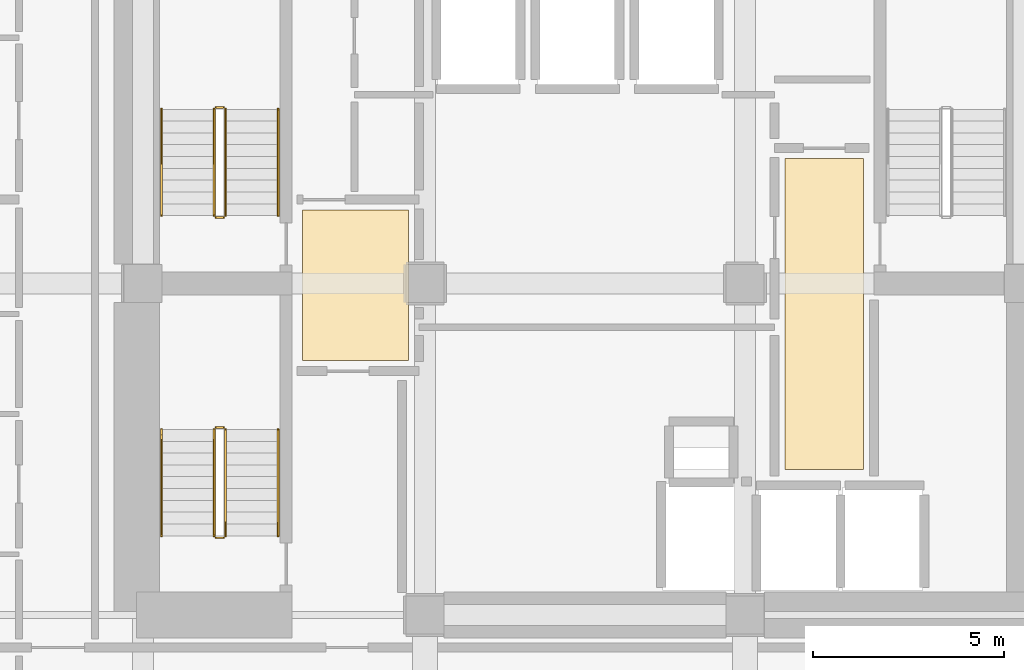
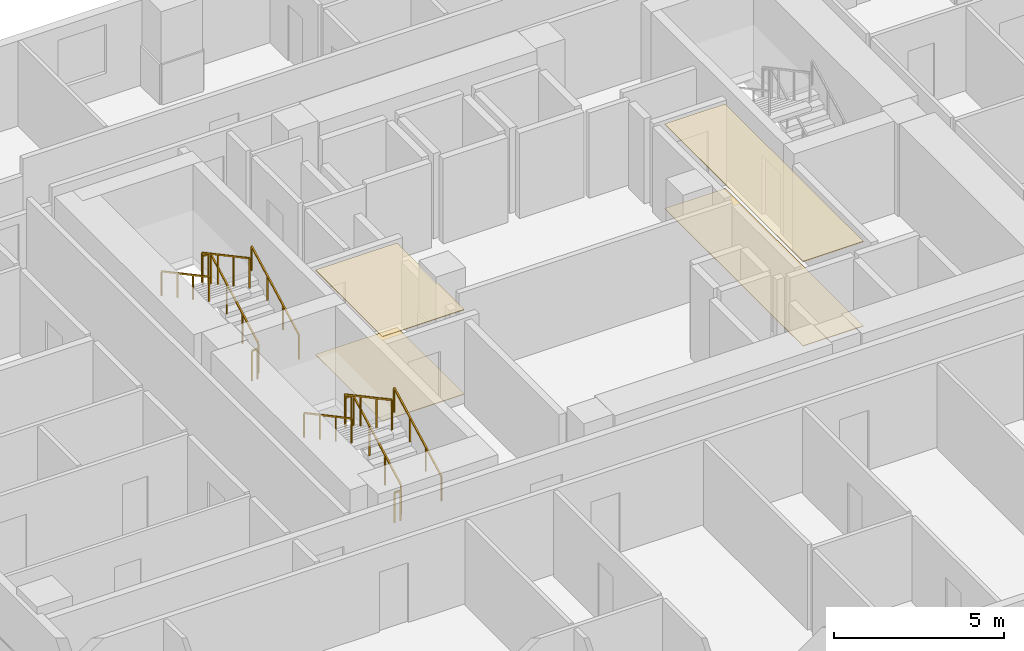
# One storey, part 9 of 11: 12 railings, 4 coverings.
"""IFC4 building model written with IfcOpenShell, lengths in metres."""

from ifc_helpers import new_model, si_unit, direction, frame, origin, origin_2d, place, context, subcontext, project, spatial, polyline, rectangle, outline, extrude, material, layer, layer_set, type_object, element, save


model = new_model("IFC4")

# Units and contexts
model_context = context("Model", 3, precision=1e-05, world=origin(), true_north=direction((0.0, 1.0)))
body_context = subcontext(model_context, "Body", "Model", "MODEL_VIEW")
ifc_project = project(units=[si_unit("LENGTHUNIT", "METRE"), si_unit("AREAUNIT", "SQUARE_METRE"), si_unit("VOLUMEUNIT", "CUBIC_METRE"), si_unit("PLANEANGLEUNIT", "RADIAN"), si_unit("MASSUNIT", "GRAM", prefix="KILO")], contexts=[model_context])

# Site, building, storey
site_placement = place(None, origin())
site = spatial("IfcSite", under=ifc_project, at=site_placement, CompositionType="ELEMENT")
building_placement = place(site_placement, origin())
building = spatial("IfcBuilding", under=site, at=building_placement, Name="Solanera Arch Residences", CompositionType="ELEMENT")
storey_placement = place(building_placement, frame((0.0, 0.0, 25.320068359375)))
storey = spatial("IfcBuildingStorey", under=building, at=storey_placement, Name="L06", CompositionType="ELEMENT", Elevation=25.320068359375)

# Coverings
ifc_material_1 = material(Name="Porcelain Acoustic Floor Tile", Category="ceramic")
ifc_layer_1 = layer(ifc_material_1, 0.02001953125)
ifc_layer_set_1 = layer_set([ifc_layer_1], Name="Porcelain Acoustic Floor Tile")
covering_type_1 = type_object("IfcCoveringType", Name="Porcelain Acoustic Floor Finish FLR-20", PredefinedType="FLOORING", material=ifc_layer_set_1)
covering_1_placement = place(storey_placement, origin())
element("IfcCovering", 1, at=covering_1_placement, inside=storey, type_object=covering_type_1, Name="L06-FFL-W Porcelain Floor Finish", PredefinedType="FLOORING", context=body_context, shape_type="SweptSolid", body=[
    extrude(outline(polyline([(20.375, 28.675048828125), (17.594970703125, 28.675048828125), (17.594970703125, 32.625), (20.375, 32.625), (20.375, 28.675048828125)])), origin(), (0.0, 0.0, 1.0), 0.02001953125),
])
covering_2_placement = place(storey_placement, origin())
element("IfcCovering", 2, at=covering_2_placement, inside=storey, type_object=covering_type_1, Name="L06-FFL-E Porcelain Floor Finish", PredefinedType="FLOORING", context=body_context, shape_type="SweptSolid", body=[
    extrude(outline(polyline([(32.304931640625, 25.824951171875), (30.25, 25.824951171875), (30.25, 33.97509765625), (32.304931640625, 33.97509765625), (32.304931640625, 25.824951171875)])), origin(), (0.0, 0.0, 1.0), 0.02001953125),
])

# Railings
ifc_material_2 = material(Name="Steel S355 (ASTM A992 / A572 Grade 50)", Category="steel")
railing_type_1 = type_object("IfcRailingType", Name="Stair Guardrail GR-1100", PredefinedType="GUARDRAIL", material=ifc_material_2)
railing_1_placement = place(storey_placement, frame((15.570068359375, 32.47998046875, 0.15087890625)))
element("IfcRailing", 3, at=railing_1_placement, inside=storey, type_object=railing_type_1, Name="L06 ST-T1 stair guard 1", PredefinedType="GUARDRAIL", context=body_context, shape_type="SweptSolid", body=[
    extrude(rectangle(XDim=0.048095703125, YDim=0.048095703125, at=origin_2d()), frame((0.0, 0.0, 1.076171875), z_axis=(0.0, 0.881548766853, 0.472092969298), x_axis=(-1.0, 0.0, 0.0)), (0.0, 0.0, 1.0), 3.1650390625),
    extrude(rectangle(XDim=0.0419921875, YDim=0.0419921875, at=origin_2d()), origin(), (0.0, 0.0, 1.0), 1.052001953125),
    extrude(rectangle(XDim=0.0419921875, YDim=0.0419921875, at=origin_2d()), frame((0.0, 0.929931640625, 0.498046875)), (0.0, 0.0, 1.0), 1.052001953125),
    extrude(rectangle(XDim=0.0419921875, YDim=0.0419921875, at=origin_2d()), frame((0.0, 1.860107421875, 0.99609375)), (0.0, 0.0, 1.0), 1.052001953125),
    extrude(rectangle(XDim=0.0419921875, YDim=0.0419921875, at=origin_2d()), frame((0.0, 2.7900390625, 1.494140625)), (0.0, 0.0, 1.0), 1.052001953125),
])
railing_2_placement = place(storey_placement, frame((15.52001953125, 35.320068359375, 1.64501953125)))
element("IfcRailing", 4, at=railing_2_placement, inside=storey, type_object=railing_type_1, Name="L06 ST-T1 stair guard 2", PredefinedType="GUARDRAIL", context=body_context, shape_type="SweptSolid", body=[
    extrude(rectangle(XDim=0.048095703125, YDim=0.048095703125, at=origin_2d()), frame((0.0, 0.0, 1.076171875), z_axis=(-1.0, 0.0, 0.0), x_axis=(0.0, -1.0, 0.0)), (0.0, 0.0, 1.0), 0.199951171875),
    extrude(rectangle(XDim=0.0419921875, YDim=0.0419921875, at=origin_2d()), origin(), (0.0, 0.0, 1.0), 1.052001953125),
    extrude(rectangle(XDim=0.0419921875, YDim=0.0419921875, at=origin_2d()), frame((-0.199951171875, 0.0, 0.0)), (0.0, 0.0, 1.0), 1.052001953125),
])
railing_3_placement = place(storey_placement, frame((15.27001953125, 35.27001953125, 1.81103515625)))
element("IfcRailing", 5, at=railing_3_placement, inside=storey, type_object=railing_type_1, Name="L06 ST-T1 stair guard 3", PredefinedType="GUARDRAIL", context=body_context, shape_type="SweptSolid", body=[
    extrude(rectangle(XDim=0.048095703125, YDim=0.048095703125, at=origin_2d()), frame((0.0, 0.0, 1.076171875), z_axis=(0.0, -0.881580869306, 0.472033018838), x_axis=(1.0, 0.0, 0.0)), (0.0, 0.0, 1.0), 3.164794921875),
    extrude(rectangle(XDim=0.0419921875, YDim=0.0419921875, at=origin_2d()), origin(), (0.0, 0.0, 1.0), 1.052001953125),
    extrude(rectangle(XDim=0.0419921875, YDim=0.0419921875, at=origin_2d()), frame((0.0, -0.929931640625, 0.498046875)), (0.0, 0.0, 1.0), 1.052001953125),
    extrude(rectangle(XDim=0.0419921875, YDim=0.0419921875, at=origin_2d()), frame((0.0, -1.860107421875, 0.995849609375)), (0.0, 0.0, 1.0), 1.052001953125),
    extrude(rectangle(XDim=0.0419921875, YDim=0.0419921875, at=origin_2d()), frame((0.0, -2.7900390625, 1.493896484375)), (0.0, 0.0, 1.0), 1.052001953125),
])
railing_4_placement = place(storey_placement, frame((15.52001953125, 32.429931640625, -0.01513671875)))
element("IfcRailing", 6, at=railing_4_placement, inside=storey, type_object=railing_type_1, Name="L06 ST-T1 stair guard 4", PredefinedType="GUARDRAIL", context=body_context, shape_type="SweptSolid", body=[
    extrude(rectangle(XDim=0.048095703125, YDim=0.048095703125, at=origin_2d()), frame((0.0, 0.0, 1.076171875), z_axis=(-1.0, 0.0, 0.0), x_axis=(0.0, -1.0, 0.0)), (0.0, 0.0, 1.0), 0.199951171875),
    extrude(rectangle(XDim=0.0419921875, YDim=0.0419921875, at=origin_2d()), origin(), (0.0, 0.0, 1.0), 1.052001953125),
    extrude(rectangle(XDim=0.0419921875, YDim=0.0419921875, at=origin_2d()), frame((-0.199951171875, 0.0, 0.0)), (0.0, 0.0, 1.0), 1.052001953125),
])
railing_5_placement = place(storey_placement, frame((15.570068359375, 24.080078125, 0.15087890625)))
element("IfcRailing", 7, at=railing_5_placement, inside=storey, type_object=railing_type_1, Name="L06 ST-T3 stair guard 1", PredefinedType="GUARDRAIL", context=body_context, shape_type="SweptSolid", body=[
    extrude(rectangle(XDim=0.048095703125, YDim=0.048095703125, at=origin_2d()), frame((0.0, 0.0, 1.076171875), z_axis=(0.0, 0.881548766853, 0.472092969298), x_axis=(-1.0, 0.0, 0.0)), (0.0, 0.0, 1.0), 3.1650390625),
    extrude(rectangle(XDim=0.0419921875, YDim=0.0419921875, at=origin_2d()), origin(), (0.0, 0.0, 1.0), 1.052001953125),
    extrude(rectangle(XDim=0.0419921875, YDim=0.0419921875, at=origin_2d()), frame((0.0, 0.929931640625, 0.498046875)), (0.0, 0.0, 1.0), 1.052001953125),
    extrude(rectangle(XDim=0.0419921875, YDim=0.0419921875, at=origin_2d()), frame((0.0, 1.860107421875, 0.99609375)), (0.0, 0.0, 1.0), 1.052001953125),
    extrude(rectangle(XDim=0.0419921875, YDim=0.0419921875, at=origin_2d()), frame((0.0, 2.7900390625, 1.494140625)), (0.0, 0.0, 1.0), 1.052001953125),
])
railing_6_placement = place(storey_placement, frame((15.52001953125, 26.919921875, 1.64501953125)))
element("IfcRailing", 8, at=railing_6_placement, inside=storey, type_object=railing_type_1, Name="L06 ST-T3 stair guard 2", PredefinedType="GUARDRAIL", context=body_context, shape_type="SweptSolid", body=[
    extrude(rectangle(XDim=0.048095703125, YDim=0.048095703125, at=origin_2d()), frame((0.0, 0.0, 1.076171875), z_axis=(-1.0, 0.0, 0.0), x_axis=(0.0, -1.0, 0.0)), (0.0, 0.0, 1.0), 0.199951171875),
    extrude(rectangle(XDim=0.0419921875, YDim=0.0419921875, at=origin_2d()), origin(), (0.0, 0.0, 1.0), 1.052001953125),
    extrude(rectangle(XDim=0.0419921875, YDim=0.0419921875, at=origin_2d()), frame((-0.199951171875, 0.0, 0.0)), (0.0, 0.0, 1.0), 1.052001953125),
])
railing_7_placement = place(storey_placement, frame((15.27001953125, 26.8701171875, 1.81103515625)))
element("IfcRailing", 9, at=railing_7_placement, inside=storey, type_object=railing_type_1, Name="L06 ST-T3 stair guard 3", PredefinedType="GUARDRAIL", context=body_context, shape_type="SweptSolid", body=[
    extrude(rectangle(XDim=0.048095703125, YDim=0.048095703125, at=origin_2d()), frame((0.0, 0.0, 1.076171875), z_axis=(0.0, -0.881580869306, 0.472033018838), x_axis=(1.0, 0.0, 0.0)), (0.0, 0.0, 1.0), 3.164794921875),
    extrude(rectangle(XDim=0.0419921875, YDim=0.0419921875, at=origin_2d()), origin(), (0.0, 0.0, 1.0), 1.052001953125),
    extrude(rectangle(XDim=0.0419921875, YDim=0.0419921875, at=origin_2d()), frame((0.0, -0.929931640625, 0.498046875)), (0.0, 0.0, 1.0), 1.052001953125),
    extrude(rectangle(XDim=0.0419921875, YDim=0.0419921875, at=origin_2d()), frame((0.0, -1.860107421875, 0.995849609375)), (0.0, 0.0, 1.0), 1.052001953125),
    extrude(rectangle(XDim=0.0419921875, YDim=0.0419921875, at=origin_2d()), frame((0.0, -2.7900390625, 1.493896484375)), (0.0, 0.0, 1.0), 1.052001953125),
])
railing_8_placement = place(storey_placement, frame((15.52001953125, 24.030029296875, -0.01513671875)))
element("IfcRailing", 10, at=railing_8_placement, inside=storey, type_object=railing_type_1, Name="L06 ST-T3 stair guard 4", PredefinedType="GUARDRAIL", context=body_context, shape_type="SweptSolid", body=[
    extrude(rectangle(XDim=0.048095703125, YDim=0.048095703125, at=origin_2d()), frame((0.0, 0.0, 1.076171875), z_axis=(-1.0, 0.0, 0.0), x_axis=(0.0, -1.0, 0.0)), (0.0, 0.0, 1.0), 0.199951171875),
    extrude(rectangle(XDim=0.0419921875, YDim=0.0419921875, at=origin_2d()), origin(), (0.0, 0.0, 1.0), 1.052001953125),
    extrude(rectangle(XDim=0.0419921875, YDim=0.0419921875, at=origin_2d()), frame((-0.199951171875, 0.0, 0.0)), (0.0, 0.0, 1.0), 1.052001953125),
])
ifc_material_3 = material(Name="Steel S355 (ASTM A992 / A572 Grade 50)", Category="steel")
railing_type_2 = type_object("IfcRailingType", Name="Stair Wall Handrail HR-920", PredefinedType="HANDRAIL", material=ifc_material_3)
railing_9_placement = place(storey_placement, frame((16.949951171875, 32.47998046875, 0.166015625)))
element("IfcRailing", 11, at=railing_9_placement, inside=storey, type_object=railing_type_2, Name="L06 ST-T1 stair handrail 1", PredefinedType="HANDRAIL", context=body_context, shape_type="SweptSolid", body=[
    extrude(rectangle(XDim=0.048095703125, YDim=0.048095703125, at=origin_2d()), frame((0.0, 0.0, 0.8759765625), z_axis=(0.0, 0.881580869306, 0.472033018838), x_axis=(-1.0, 0.0, 0.0)), (0.0, 0.0, 1.0), 3.164794921875),
    extrude(rectangle(XDim=0.0419921875, YDim=0.0419921875, at=origin_2d()), origin(), (0.0, 0.0, 1.0), 0.851806640625),
    extrude(rectangle(XDim=0.0419921875, YDim=0.0419921875, at=origin_2d()), frame((0.0, 0.929931640625, 0.498046875)), (0.0, 0.0, 1.0), 0.851806640625),
    extrude(rectangle(XDim=0.0419921875, YDim=0.0419921875, at=origin_2d()), frame((0.0, 1.860107421875, 0.995849609375)), (0.0, 0.0, 1.0), 0.851806640625),
    extrude(rectangle(XDim=0.0419921875, YDim=0.0419921875, at=origin_2d()), frame((0.0, 2.7900390625, 1.493896484375)), (0.0, 0.0, 1.0), 0.851806640625),
])
railing_10_placement = place(storey_placement, frame((13.889892578125, 35.27001953125, 1.825927734375)))
element("IfcRailing", 12, at=railing_10_placement, inside=storey, type_object=railing_type_2, Name="L06 ST-T1 stair handrail 2", PredefinedType="HANDRAIL", context=body_context, shape_type="SweptSolid", body=[
    extrude(rectangle(XDim=0.048095703125, YDim=0.048095703125, at=origin_2d()), frame((0.0, 0.0, 0.8759765625), z_axis=(0.0, -0.881580869306, 0.472033018838), x_axis=(1.0, 0.0, 0.0)), (0.0, 0.0, 1.0), 3.164794921875),
    extrude(rectangle(XDim=0.0419921875, YDim=0.0419921875, at=origin_2d()), origin(), (0.0, 0.0, 1.0), 0.851806640625),
    extrude(rectangle(XDim=0.0419921875, YDim=0.0419921875, at=origin_2d()), frame((0.0, -0.929931640625, 0.498046875)), (0.0, 0.0, 1.0), 0.851806640625),
    extrude(rectangle(XDim=0.0419921875, YDim=0.0419921875, at=origin_2d()), frame((0.0, -1.860107421875, 0.995849609375)), (0.0, 0.0, 1.0), 0.851806640625),
    extrude(rectangle(XDim=0.0419921875, YDim=0.0419921875, at=origin_2d()), frame((0.0, -2.7900390625, 1.493896484375)), (0.0, 0.0, 1.0), 0.851806640625),
])
railing_11_placement = place(storey_placement, frame((16.949951171875, 24.080078125, 0.166015625)))
element("IfcRailing", 13, at=railing_11_placement, inside=storey, type_object=railing_type_2, Name="L06 ST-T3 stair handrail 1", PredefinedType="HANDRAIL", context=body_context, shape_type="SweptSolid", body=[
    extrude(rectangle(XDim=0.048095703125, YDim=0.048095703125, at=origin_2d()), frame((0.0, 0.0, 0.8759765625), z_axis=(0.0, 0.881580869306, 0.472033018838), x_axis=(-1.0, 0.0, 0.0)), (0.0, 0.0, 1.0), 3.164794921875),
    extrude(rectangle(XDim=0.0419921875, YDim=0.0419921875, at=origin_2d()), origin(), (0.0, 0.0, 1.0), 0.851806640625),
    extrude(rectangle(XDim=0.0419921875, YDim=0.0419921875, at=origin_2d()), frame((0.0, 0.929931640625, 0.498046875)), (0.0, 0.0, 1.0), 0.851806640625),
    extrude(rectangle(XDim=0.0419921875, YDim=0.0419921875, at=origin_2d()), frame((0.0, 1.860107421875, 0.995849609375)), (0.0, 0.0, 1.0), 0.851806640625),
    extrude(rectangle(XDim=0.0419921875, YDim=0.0419921875, at=origin_2d()), frame((0.0, 2.7900390625, 1.493896484375)), (0.0, 0.0, 1.0), 0.851806640625),
])
railing_12_placement = place(storey_placement, frame((13.889892578125, 26.8701171875, 1.825927734375)))
element("IfcRailing", 14, at=railing_12_placement, inside=storey, type_object=railing_type_2, Name="L06 ST-T3 stair handrail 2", PredefinedType="HANDRAIL", context=body_context, shape_type="SweptSolid", body=[
    extrude(rectangle(XDim=0.048095703125, YDim=0.048095703125, at=origin_2d()), frame((0.0, 0.0, 0.8759765625), z_axis=(0.0, -0.881580869306, 0.472033018838), x_axis=(1.0, 0.0, 0.0)), (0.0, 0.0, 1.0), 3.164794921875),
    extrude(rectangle(XDim=0.0419921875, YDim=0.0419921875, at=origin_2d()), origin(), (0.0, 0.0, 1.0), 0.851806640625),
    extrude(rectangle(XDim=0.0419921875, YDim=0.0419921875, at=origin_2d()), frame((0.0, -0.929931640625, 0.498046875)), (0.0, 0.0, 1.0), 0.851806640625),
    extrude(rectangle(XDim=0.0419921875, YDim=0.0419921875, at=origin_2d()), frame((0.0, -1.860107421875, 0.995849609375)), (0.0, 0.0, 1.0), 0.851806640625),
    extrude(rectangle(XDim=0.0419921875, YDim=0.0419921875, at=origin_2d()), frame((0.0, -2.7900390625, 1.493896484375)), (0.0, 0.0, 1.0), 0.851806640625),
])

# Coverings
ifc_material_4 = material(Name="Mineral Fibre Acoustic Ceiling Board", Category="gypsum")
ifc_layer_2 = layer(ifc_material_4, 0.02490234375)
ifc_layer_set_2 = layer_set([ifc_layer_2], Name="Mineral Fibre Acoustic Ceiling Board")
covering_type_2 = type_object("IfcCoveringType", Name="Suspended Acoustic Ceiling Board CLG-25", PredefinedType="CEILING", material=ifc_layer_set_2)
covering_3_placement = place(storey_placement, frame((0.0, 0.0, 3.034912109375)))
element("IfcCovering", 15, at=covering_3_placement, inside=storey, type_object=covering_type_2, Name="L06-FFL-W Acoustic Ceiling", PredefinedType="CEILING", context=body_context, shape_type="SweptSolid", body=[
    extrude(outline(polyline([(20.375, 28.675048828125), (17.594970703125, 28.675048828125), (17.594970703125, 32.625), (20.375, 32.625), (20.375, 28.675048828125)])), origin(), (0.0, 0.0, 1.0), 0.02490234375),
])
covering_4_placement = place(storey_placement, frame((0.0, 0.0, 3.034912109375)))
element("IfcCovering", 16, at=covering_4_placement, inside=storey, type_object=covering_type_2, Name="L06-FFL-E Acoustic Ceiling", PredefinedType="CEILING", context=body_context, shape_type="SweptSolid", body=[
    extrude(outline(polyline([(32.304931640625, 25.824951171875), (30.25, 25.824951171875), (30.25, 33.97509765625), (32.304931640625, 33.97509765625), (32.304931640625, 25.824951171875)])), origin(), (0.0, 0.0, 1.0), 0.02490234375),
])

save(model, "model.ifc")
